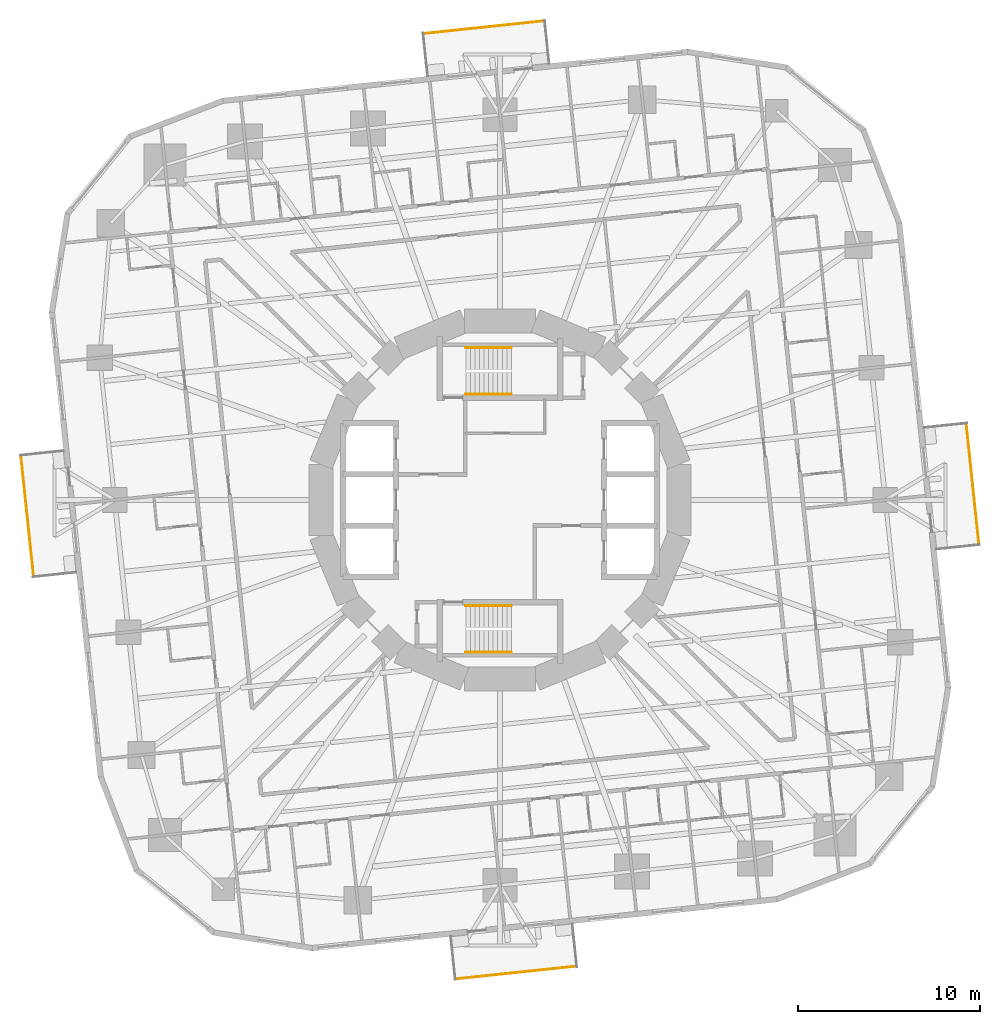
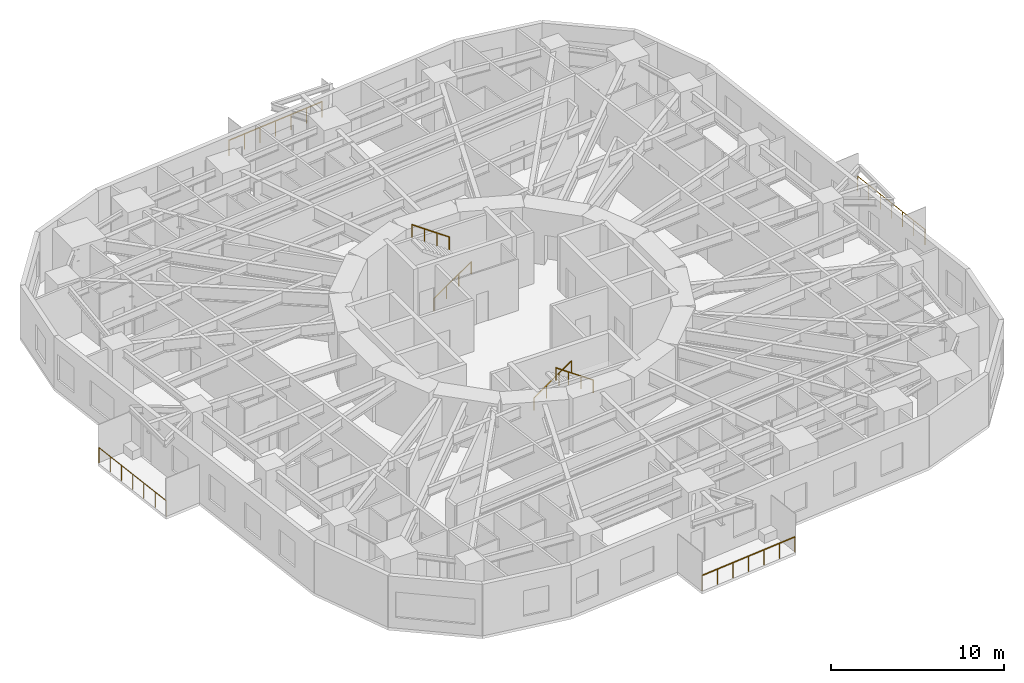
# One storey, part 12 of 13: 8 railings.
"""IFC4 building model written with IfcOpenShell, lengths in metres."""

from ifc_helpers import new_model, si_unit, direction, frame, origin, origin_2d, place, context, subcontext, project, spatial, circle, extrude, material, type_object, element, save


model = new_model("IFC4")

# Units and contexts
model_context = context("Model", 3, precision=1e-05, world=origin(), true_north=direction((0.0, 1.0)))
body_context = subcontext(model_context, "Body", "Model", "MODEL_VIEW")
ifc_project = project(units=[si_unit("LENGTHUNIT", "METRE"), si_unit("AREAUNIT", "SQUARE_METRE"), si_unit("VOLUMEUNIT", "CUBIC_METRE"), si_unit("PLANEANGLEUNIT", "RADIAN"), si_unit("MASSUNIT", "GRAM", prefix="KILO")], contexts=[model_context])

# Site, building, storey
site_placement = place(None, origin())
site = spatial("IfcSite", under=ifc_project, at=site_placement, CompositionType="ELEMENT")
building_placement = place(site_placement, origin())
building = spatial("IfcBuilding", under=site, at=building_placement, Name="Nakasero Lantern House", CompositionType="ELEMENT")
storey_placement = place(building_placement, frame((0.0, 0.0, 83.60009765625)))
storey = spatial("IfcBuildingStorey", under=building, at=storey_placement, Name="L20", CompositionType="ELEMENT", Elevation=83.60009765625)

# Railings
ifc_material_1 = material(Name="Aluminium 6063-T6", Category="aluminium")
railing_type_1 = type_object("IfcRailingType", Name="Balcony guard 1100", PredefinedType="BALUSTRADE", material=ifc_material_1)
railing_1_placement = place(storey_placement, frame((26.247802734375, -2.4296875, 0.0)))
element("IfcRailing", 1, at=railing_1_placement, inside=storey, type_object=railing_type_1, Name="Balcony guard L20 BAL0", PredefinedType="BALUSTRADE", context=body_context, shape_type="SweptSolid", body=[
    extrude(circle(Radius=0.02392578125, at=origin_2d()), frame((0.0, 0.0, 1.076171875), z_axis=(-0.104541525597, 0.994520522375, 0.0), x_axis=(-0.994520522375, -0.104541525597, 0.0)), (0.0, 0.0, 1.0), 6.6533203125),
    extrude(circle(Radius=0.02099609375, at=origin_2d()), origin(), (0.0, 0.0, 1.0), 1.052001953125),
    extrude(circle(Radius=0.02099609375, at=origin_2d()), frame((-0.115966796875, 1.102783203125, 0.0)), (0.0, 0.0, 1.0), 1.052001953125),
    extrude(circle(Radius=0.02099609375, at=origin_2d()), frame((-0.23193359375, 2.20556640625, 0.0)), (0.0, 0.0, 1.0), 1.052001953125),
    extrude(circle(Radius=0.02099609375, at=origin_2d()), frame((-0.34765625, 3.30859375, 0.0)), (0.0, 0.0, 1.0), 1.052001953125),
    extrude(circle(Radius=0.02099609375, at=origin_2d()), frame((-0.463623046875, 4.411376953125, 0.0)), (0.0, 0.0, 1.0), 1.052001953125),
    extrude(circle(Radius=0.02099609375, at=origin_2d()), frame((-0.57958984375, 5.51416015625, 0.0)), (0.0, 0.0, 1.0), 1.052001953125),
    extrude(circle(Radius=0.02099609375, at=origin_2d()), frame((-0.695556640625, 6.616943359375, 0.0)), (0.0, 0.0, 1.0), 1.052001953125),
])
railing_2_placement = place(storey_placement, frame((2.4296875, 26.247802734375, 0.0)))
element("IfcRailing", 2, at=railing_2_placement, inside=storey, type_object=railing_type_1, Name="Balcony guard L20 BAL1", PredefinedType="BALUSTRADE", context=body_context, shape_type="SweptSolid", body=[
    extrude(circle(Radius=0.02392578125, at=origin_2d()), frame((0.0, 0.0, 1.076171875), z_axis=(-0.994520522375, -0.104541525597, 0.0), x_axis=(0.104541525597, -0.994520522375, 0.0)), (0.0, 0.0, 1.0), 6.6533203125),
    extrude(circle(Radius=0.02099609375, at=origin_2d()), origin(), (0.0, 0.0, 1.0), 1.052001953125),
    extrude(circle(Radius=0.02099609375, at=origin_2d()), frame((-1.102783203125, -0.115966796875, 0.0)), (0.0, 0.0, 1.0), 1.052001953125),
    extrude(circle(Radius=0.02099609375, at=origin_2d()), frame((-2.20556640625, -0.23193359375, 0.0)), (0.0, 0.0, 1.0), 1.052001953125),
    extrude(circle(Radius=0.02099609375, at=origin_2d()), frame((-3.30859375, -0.34765625, 0.0)), (0.0, 0.0, 1.0), 1.052001953125),
    extrude(circle(Radius=0.02099609375, at=origin_2d()), frame((-4.411376953125, -0.463623046875, 0.0)), (0.0, 0.0, 1.0), 1.052001953125),
    extrude(circle(Radius=0.02099609375, at=origin_2d()), frame((-5.51416015625, -0.57958984375, 0.0)), (0.0, 0.0, 1.0), 1.052001953125),
    extrude(circle(Radius=0.02099609375, at=origin_2d()), frame((-6.616943359375, -0.695556640625, 0.0)), (0.0, 0.0, 1.0), 1.052001953125),
])
railing_3_placement = place(storey_placement, frame((-26.247802734375, 2.4296875, 0.0)))
element("IfcRailing", 3, at=railing_3_placement, inside=storey, type_object=railing_type_1, Name="Balcony guard L20 BAL2", PredefinedType="BALUSTRADE", context=body_context, shape_type="SweptSolid", body=[
    extrude(circle(Radius=0.02392578125, at=origin_2d()), frame((0.0, 0.0, 1.076171875), z_axis=(0.104541525597, -0.994520522375, 0.0), x_axis=(0.994520522375, 0.104541525597, 0.0)), (0.0, 0.0, 1.0), 6.6533203125),
    extrude(circle(Radius=0.02099609375, at=origin_2d()), origin(), (0.0, 0.0, 1.0), 1.052001953125),
    extrude(circle(Radius=0.02099609375, at=origin_2d()), frame((0.115966796875, -1.102783203125, 0.0)), (0.0, 0.0, 1.0), 1.052001953125),
    extrude(circle(Radius=0.02099609375, at=origin_2d()), frame((0.23193359375, -2.20556640625, 0.0)), (0.0, 0.0, 1.0), 1.052001953125),
    extrude(circle(Radius=0.02099609375, at=origin_2d()), frame((0.34765625, -3.30859375, 0.0)), (0.0, 0.0, 1.0), 1.052001953125),
    extrude(circle(Radius=0.02099609375, at=origin_2d()), frame((0.463623046875, -4.411376953125, 0.0)), (0.0, 0.0, 1.0), 1.052001953125),
    extrude(circle(Radius=0.02099609375, at=origin_2d()), frame((0.57958984375, -5.51416015625, 0.0)), (0.0, 0.0, 1.0), 1.052001953125),
    extrude(circle(Radius=0.02099609375, at=origin_2d()), frame((0.695556640625, -6.616943359375, 0.0)), (0.0, 0.0, 1.0), 1.052001953125),
])
railing_4_placement = place(storey_placement, frame((-2.4296875, -26.247802734375, 0.0)))
element("IfcRailing", 4, at=railing_4_placement, inside=storey, type_object=railing_type_1, Name="Balcony guard L20 BAL3", PredefinedType="BALUSTRADE", context=body_context, shape_type="SweptSolid", body=[
    extrude(circle(Radius=0.02392578125, at=origin_2d()), frame((0.0, 0.0, 1.076171875), z_axis=(0.994520522375, 0.104541525597, 0.0), x_axis=(-0.104541525597, 0.994520522375, 0.0)), (0.0, 0.0, 1.0), 6.6533203125),
    extrude(circle(Radius=0.02099609375, at=origin_2d()), origin(), (0.0, 0.0, 1.0), 1.052001953125),
    extrude(circle(Radius=0.02099609375, at=origin_2d()), frame((1.102783203125, 0.115966796875, 0.0)), (0.0, 0.0, 1.0), 1.052001953125),
    extrude(circle(Radius=0.02099609375, at=origin_2d()), frame((2.20556640625, 0.23193359375, 0.0)), (0.0, 0.0, 1.0), 1.052001953125),
    extrude(circle(Radius=0.02099609375, at=origin_2d()), frame((3.30859375, 0.34765625, 0.0)), (0.0, 0.0, 1.0), 1.052001953125),
    extrude(circle(Radius=0.02099609375, at=origin_2d()), frame((4.411376953125, 0.463623046875, 0.0)), (0.0, 0.0, 1.0), 1.052001953125),
    extrude(circle(Radius=0.02099609375, at=origin_2d()), frame((5.51416015625, 0.57958984375, 0.0)), (0.0, 0.0, 1.0), 1.052001953125),
    extrude(circle(Radius=0.02099609375, at=origin_2d()), frame((6.616943359375, 0.695556640625, 0.0)), (0.0, 0.0, 1.0), 1.052001953125),
])
ifc_material_2 = material(Name="Stainless steel 316", Category="steel")
railing_type_2 = type_object("IfcRailingType", Name="Stair handrail 900", PredefinedType="HANDRAIL", material=ifc_material_2)
railing_5_placement = place(storey_placement, frame((-1.875, 5.800048828125, 0.1748046875)))
element("IfcRailing", 5, at=railing_5_placement, inside=storey, type_object=railing_type_2, Name="Handrail ST1 L20 flight 1", PredefinedType="HANDRAIL", context=body_context, shape_type="SweptSolid", body=[
    extrude(circle(Radius=0.02392578125, at=origin_2d()), frame((0.0, 0.0, 0.8759765625), z_axis=(0.819231920519, 0.0, 0.573462344363), x_axis=(0.0, 1.0, 0.0)), (0.0, 0.0, 1.0), 3.0517578125),
    extrude(circle(Radius=0.02099609375, at=origin_2d()), origin(), (0.0, 0.0, 1.0), 0.851806640625),
    extrude(circle(Radius=0.02099609375, at=origin_2d()), frame((0.833251953125, 0.0, 0.583251953125)), (0.0, 0.0, 1.0), 0.851806640625),
    extrude(circle(Radius=0.02099609375, at=origin_2d()), frame((1.666748046875, 0.0, 1.166748046875)), (0.0, 0.0, 1.0), 0.851806640625),
    extrude(circle(Radius=0.02099609375, at=origin_2d()), frame((2.5, 0.0, 1.75)), (0.0, 0.0, 1.0), 0.851806640625),
])
railing_6_placement = place(storey_placement, frame((0.625, 8.35009765625, 2.099853515625)))
element("IfcRailing", 6, at=railing_6_placement, inside=storey, type_object=railing_type_2, Name="Handrail ST1 L20 flight 2", PredefinedType="HANDRAIL", context=body_context, shape_type="SweptSolid", body=[
    extrude(circle(Radius=0.02392578125, at=origin_2d()), frame((0.0, 0.0, 0.8759765625), z_axis=(-0.819231920519, 0.0, 0.573462344363), x_axis=(0.0, -1.0, 0.0)), (0.0, 0.0, 1.0), 3.0517578125),
    extrude(circle(Radius=0.02099609375, at=origin_2d()), origin(), (0.0, 0.0, 1.0), 0.851806640625),
    extrude(circle(Radius=0.02099609375, at=origin_2d()), frame((-0.833251953125, 0.0, 0.583251953125)), (0.0, 0.0, 1.0), 0.851806640625),
    extrude(circle(Radius=0.02099609375, at=origin_2d()), frame((-1.666748046875, 0.0, 1.166748046875)), (0.0, 0.0, 1.0), 0.851806640625),
    extrude(circle(Radius=0.02099609375, at=origin_2d()), frame((-2.5, 0.0, 1.75)), (0.0, 0.0, 1.0), 0.851806640625),
])
railing_7_placement = place(storey_placement, frame((-1.875, -5.800048828125, 0.1748046875)))
element("IfcRailing", 7, at=railing_7_placement, inside=storey, type_object=railing_type_2, Name="Handrail ST2 L20 flight 1", PredefinedType="HANDRAIL", context=body_context, shape_type="SweptSolid", body=[
    extrude(circle(Radius=0.02392578125, at=origin_2d()), frame((0.0, 0.0, 0.8759765625), z_axis=(0.819231920519, 0.0, 0.573462344363), x_axis=(0.0, 1.0, 0.0)), (0.0, 0.0, 1.0), 3.0517578125),
    extrude(circle(Radius=0.02099609375, at=origin_2d()), origin(), (0.0, 0.0, 1.0), 0.851806640625),
    extrude(circle(Radius=0.02099609375, at=origin_2d()), frame((0.833251953125, 0.0, 0.583251953125)), (0.0, 0.0, 1.0), 0.851806640625),
    extrude(circle(Radius=0.02099609375, at=origin_2d()), frame((1.666748046875, 0.0, 1.166748046875)), (0.0, 0.0, 1.0), 0.851806640625),
    extrude(circle(Radius=0.02099609375, at=origin_2d()), frame((2.5, 0.0, 1.75)), (0.0, 0.0, 1.0), 0.851806640625),
])
railing_8_placement = place(storey_placement, frame((0.625, -8.35009765625, 2.099853515625)))
element("IfcRailing", 8, at=railing_8_placement, inside=storey, type_object=railing_type_2, Name="Handrail ST2 L20 flight 2", PredefinedType="HANDRAIL", context=body_context, shape_type="SweptSolid", body=[
    extrude(circle(Radius=0.02392578125, at=origin_2d()), frame((0.0, 0.0, 0.8759765625), z_axis=(-0.819231920519, 0.0, 0.573462344363), x_axis=(0.0, -1.0, 0.0)), (0.0, 0.0, 1.0), 3.0517578125),
    extrude(circle(Radius=0.02099609375, at=origin_2d()), origin(), (0.0, 0.0, 1.0), 0.851806640625),
    extrude(circle(Radius=0.02099609375, at=origin_2d()), frame((-0.833251953125, 0.0, 0.583251953125)), (0.0, 0.0, 1.0), 0.851806640625),
    extrude(circle(Radius=0.02099609375, at=origin_2d()), frame((-1.666748046875, 0.0, 1.166748046875)), (0.0, 0.0, 1.0), 0.851806640625),
    extrude(circle(Radius=0.02099609375, at=origin_2d()), frame((-2.5, 0.0, 1.75)), (0.0, 0.0, 1.0), 0.851806640625),
])

save(model, "model.ifc")
